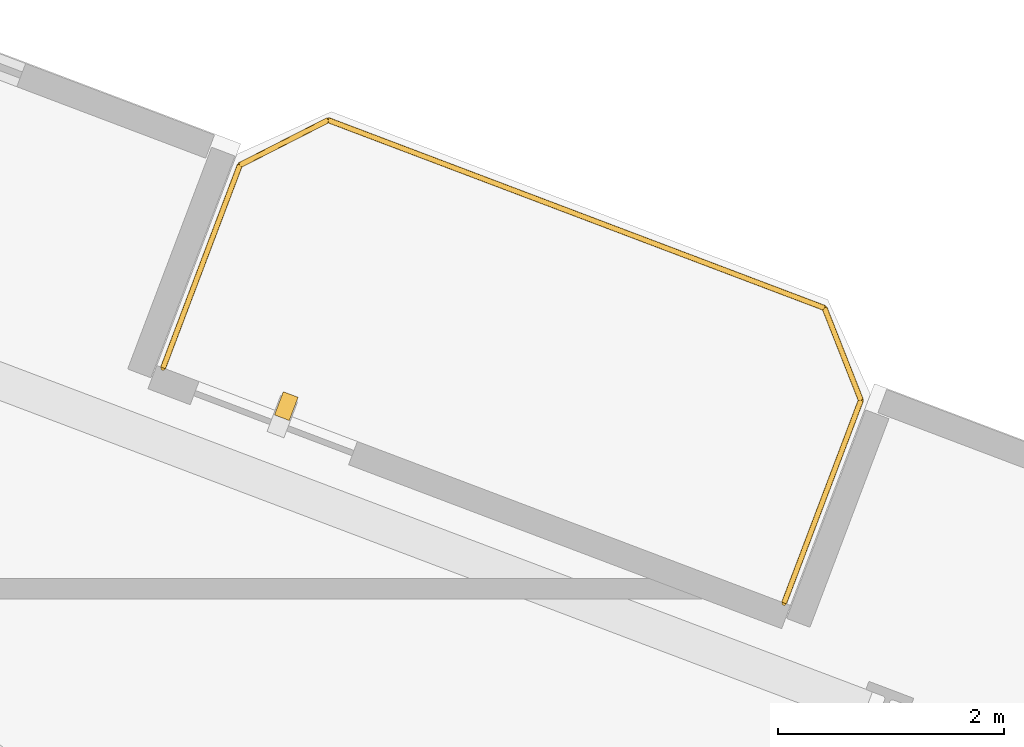
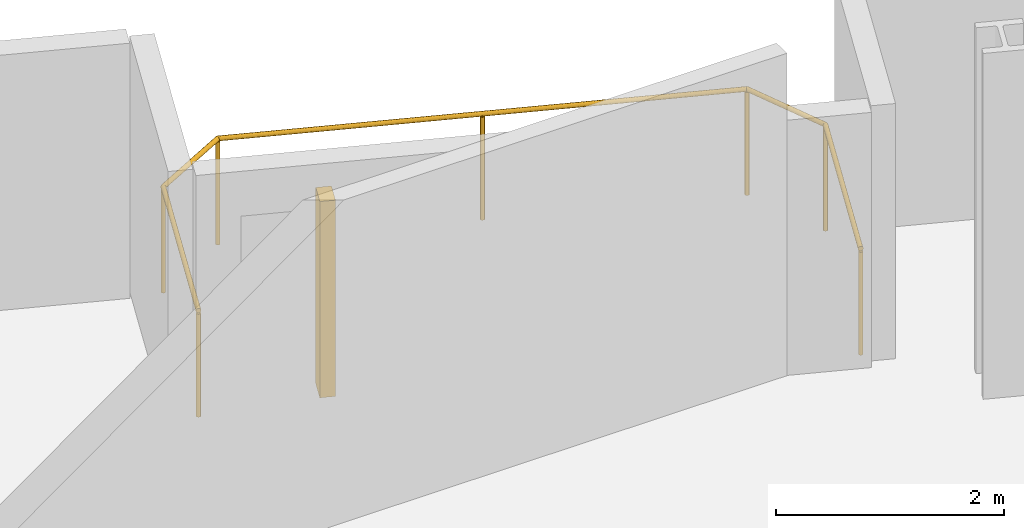
# One storey, part 25 of 25: 1 railing, 1 shading device.
"""IFC4 building model written with IfcOpenShell, lengths in metres."""

from ifc_helpers import new_model, si_unit, direction, frame, origin, origin_2d, place, context, subcontext, project, spatial, rectangle, circle, extrude, source, transform, mapped, material, type_object, element, save


model = new_model("IFC4")

# Units and contexts
model_context = context("Model", 3, precision=1e-05, world=origin(), true_north=direction((0.0, 1.0)))
body_context = subcontext(model_context, "Body", "Model", "MODEL_VIEW")
ifc_project = project(units=[si_unit("LENGTHUNIT", "METRE"), si_unit("AREAUNIT", "SQUARE_METRE"), si_unit("VOLUMEUNIT", "CUBIC_METRE"), si_unit("PLANEANGLEUNIT", "RADIAN"), si_unit("MASSUNIT", "GRAM", prefix="KILO")], contexts=[model_context])

# Site, building, storey
site_placement = place(None, origin())
site = spatial("IfcSite", under=ifc_project, at=site_placement, CompositionType="ELEMENT")
building_placement = place(site_placement, origin())
building = spatial("IfcBuilding", under=site, at=building_placement, Name="Varnelok Gate Tower", CompositionType="ELEMENT")
storey_placement = place(building_placement, frame((0.0, 0.0, 83.60009765625)))
storey = spatial("IfcBuildingStorey", under=building, at=storey_placement, Name="L20", CompositionType="ELEMENT", Elevation=83.60009765625)

# Railing
ifc_material_1 = material(Name="Low-E Laminated Double Glazing IGU", Category="glass")
railing_type = type_object("IfcRailingType", Name="RL-BALC-1150", PredefinedType="BALUSTRADE", material=ifc_material_1)
railing_placement = place(storey_placement, frame((57.49462890625, 41.256103515625, 0.0)))
element("IfcRailing", 1, at=railing_placement, inside=storey, type_object=railing_type, Name="L20 North Terrace Balustrade 6", PredefinedType="BALUSTRADE", context=body_context, shape_type="SweptSolid", body=[
    extrude(circle(Radius=0.02392578125, at=origin_2d()), frame((0.0, 0.0, 1.1259765625), z_axis=(0.354006333352, 0.935243025073, 0.0), x_axis=(-0.935243025073, 0.354006333352, 0.0)), (0.0, 0.0, 1.0), 1.919921875),
    extrude(circle(Radius=0.02392578125, at=origin_2d()), frame((0.6796875, 1.795654296875, 1.1259765625), z_axis=(0.89078254773, 0.454429810487, 0.0), x_axis=(-0.454429810487, 0.89078254773, 0.0)), (0.0, 0.0, 1.0), 0.8779296875),
    extrude(circle(Radius=0.02392578125, at=origin_2d()), frame((1.461669921875, 2.194580078125, 1.1259765625), z_axis=(0.935223045203, -0.354059113314, 0.0), x_axis=(0.354059113314, 0.935223045203, 0.0)), (0.0, 0.0, 1.0), 4.699951171875),
    extrude(circle(Radius=0.02392578125, at=origin_2d()), frame((5.857177734375, 0.530517578125, 1.1259765625), z_axis=(0.36659018357, -0.930382522036, 0.0), x_axis=(0.930382522036, 0.36659018357, 0.0)), (0.0, 0.0, 1.0), 0.877685546875),
    extrude(circle(Radius=0.02392578125, at=origin_2d()), frame((6.178955078125, -0.2861328125, 1.1259765625), z_axis=(-0.354117547856, -0.935200920819, 0.0), x_axis=(0.935200920819, -0.354117547856, 0.0)), (0.0, 0.0, 1.0), 1.920166015625),
    extrude(circle(Radius=0.02099609375, at=origin_2d()), origin(), (0.0, 0.0, 1.0), 1.101806640625),
    extrude(circle(Radius=0.02099609375, at=origin_2d()), frame((0.6796875, 1.795654296875, 0.0)), (0.0, 0.0, 1.0), 1.101806640625),
    extrude(circle(Radius=0.02099609375, at=origin_2d()), frame((1.461669921875, 2.194580078125, 0.0)), (0.0, 0.0, 1.0), 1.101806640625),
    extrude(circle(Radius=0.02099609375, at=origin_2d()), frame((3.659423828125, 1.362548828125, 0.0)), (0.0, 0.0, 1.0), 1.101806640625),
    extrude(circle(Radius=0.02099609375, at=origin_2d()), frame((5.857177734375, 0.530517578125, 0.0)), (0.0, 0.0, 1.0), 1.101806640625),
    extrude(circle(Radius=0.02099609375, at=origin_2d()), frame((6.178955078125, -0.2861328125, 0.0)), (0.0, 0.0, 1.0), 1.101806640625),
    extrude(circle(Radius=0.02099609375, at=origin_2d()), frame((5.4990234375, -2.081787109375, 0.0)), (0.0, 0.0, 1.0), 1.101806640625),
])

# Shading device
ifc_material_2 = material(Name="Glazed Architectural Terracotta Ceramic", Category="masonry")
shading_device_type = type_object("IfcShadingDeviceType", Name="SHD-TERRA-BAGUETTE", PredefinedType="USERDEFINED", material=ifc_material_2)
shared_shape = source(origin(), body_context, "Body", "SweptSolid", [
    extrude(rectangle(XDim=0.139892578125, YDim=0.219970703125, at=origin_2d()), origin(), (0.0, 0.0, 1.0), 2.10009765625),
])
shading_device_placement = place(storey_placement, frame((58.58544921875, 40.91796875, 0.099853515625), z_axis=(0.0, 0.0, 1.0), x_axis=(0.935221751401, -0.354062530786, 0.0)))
element("IfcShadingDevice", 2, at=shading_device_placement, inside=storey, type_object=shading_device_type, Name="L20 Terracotta Ceramic Baguette Sunscreen 6.1", ObjectType="BAGUETTE", PredefinedType="USERDEFINED", context=body_context, shape_type="MappedRepresentation", body=[
    mapped(shared_shape, transform((0.0, 0.0, 0.0), scale=1.0)),
])

save(model, "model.ifc")
